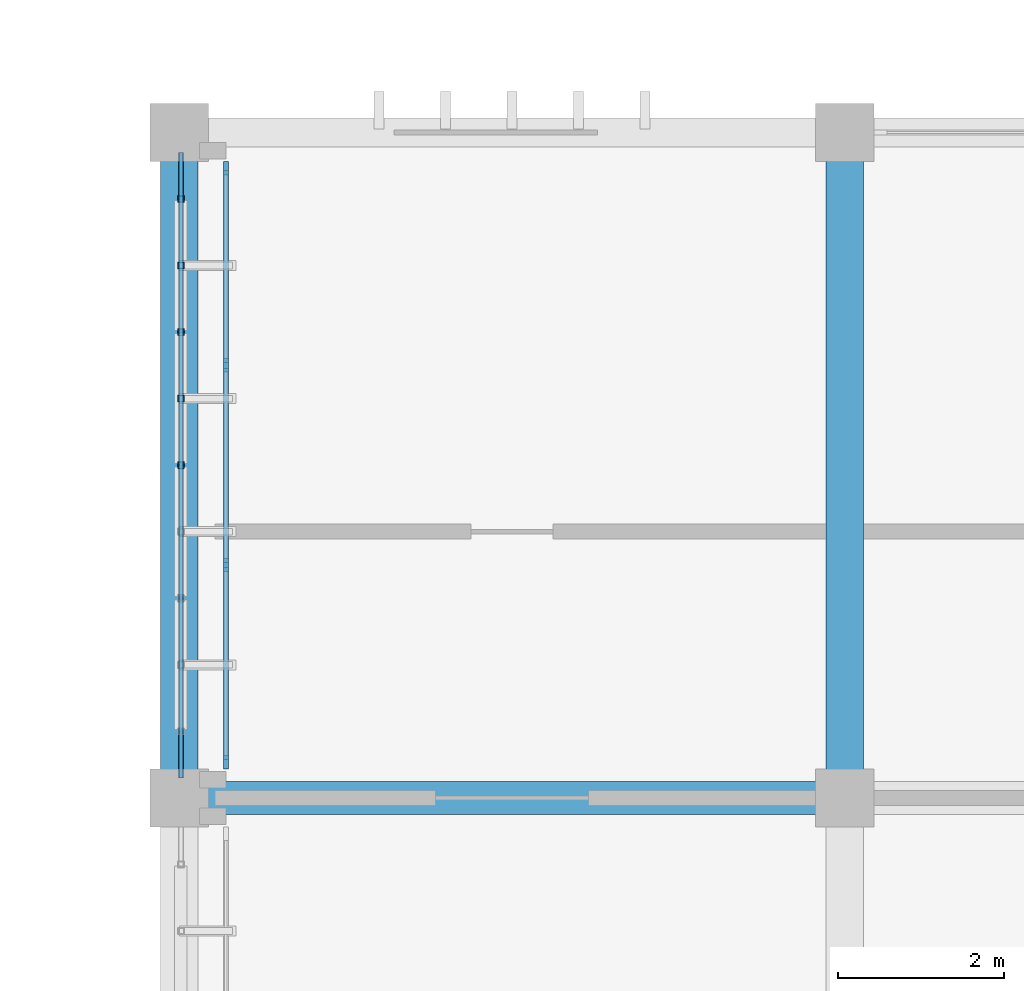
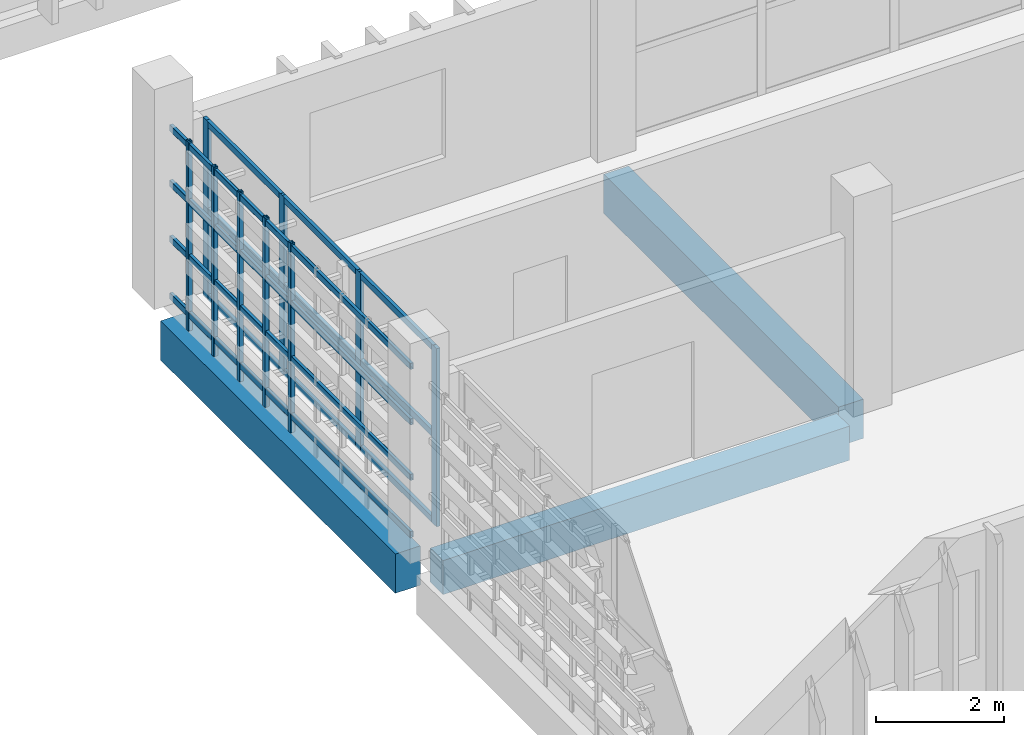
# One storey, part 32 of 137: 22 members, 3 beams, 1 element without a shape of its own.
"""IFC4 building model written with IfcOpenShell, lengths in metres."""

from ifc_helpers import new_model, si_unit, direction, frame, origin, origin_2d, place, context, subcontext, project, spatial, rectangle, hollow_rectangle, extrude, material, layer, layer_set, material_profile, profile_set, type_object, element, aggregate, save


model = new_model("IFC4")

# Units and contexts
model_context = context("Model", 3, precision=1e-05, world=origin(), true_north=direction((0.0, 1.0)))
body_context = subcontext(model_context, "Body", "Model", "MODEL_VIEW")
ifc_project = project(units=[si_unit("LENGTHUNIT", "METRE"), si_unit("AREAUNIT", "SQUARE_METRE"), si_unit("VOLUMEUNIT", "CUBIC_METRE"), si_unit("PLANEANGLEUNIT", "RADIAN"), si_unit("MASSUNIT", "GRAM", prefix="KILO")], contexts=[model_context])

# Site, building, storey
site_placement = place(None, origin())
site = spatial("IfcSite", under=ifc_project, at=site_placement, CompositionType="ELEMENT")
building_placement = place(site_placement, origin())
building = spatial("IfcBuilding", under=site, at=building_placement, Name="Jelvoka-Kovrelna Polytechnic", CompositionType="ELEMENT")
storey_placement = place(building_placement, frame((0.0, 0.0, 9.60009765625)))
storey = spatial("IfcBuildingStorey", under=building, at=storey_placement, Name="L03", CompositionType="ELEMENT", Elevation=9.60009765625)

# Beams
ifc_material_1 = material(Name="Concrete C40/50", Category="concrete")
ifc_material_profile_1 = material_profile(ifc_material_1, rectangle(XDim=0.39990234375, YDim=0.64990234375, at=origin_2d()), Name="RC 400x650")
ifc_profile_set_1 = profile_set([ifc_material_profile_1], Name="Concrete C40/50")
beam_type_1 = type_object("IfcBeamType", Name="Beam_RC_400x650", PredefinedType="BEAM", material=ifc_profile_set_1)
beam_placement = place(storey_placement, frame((128.330078125, 40.0, -0.590087890625), z_axis=(1.0, 0.0, 0.0), x_axis=(0.0, 1.0, 0.0)))
element("IfcBeam", 1, at=beam_placement, inside=storey, type_object=beam_type_1, Name="L03 beam 0967", PredefinedType="BEAM", context=body_context, shape_type="SweptSolid", body=[
    extrude(rectangle(XDim=0.39990234375, YDim=0.64990234375, at=origin_2d()), origin(), (0.0, 0.0, 1.0), 7.33984375),
])
ifc_material_2 = material(Name="Concrete C40/50", Category="concrete")
ifc_material_profile_2 = material_profile(ifc_material_2, rectangle(XDim=0.449951171875, YDim=0.75, at=origin_2d()), Name="RC 450x750")
ifc_profile_set_2 = profile_set([ifc_material_profile_2], Name="Concrete C40/50")
beam_type_2 = type_object("IfcBeamType", Name="Beam_RC_450x750", PredefinedType="BEAM", material=ifc_profile_set_2)
for number, where, z_axis, x_axis, name in (
    (2, (128.0, 40.330078125, -0.64013671875), (0.0, 1.0, 0.0), (-1.0, 0.0, 0.0), "L03 beam 0985"),
    (3, (136.0, 40.330078125, -0.64013671875), (0.0, 1.0, 0.0), (-1.0, 0.0, 0.0), "L03 beam 0987"),
):
    element("IfcBeam", number, at=place(storey_placement, frame(where, z_axis=z_axis, x_axis=x_axis)), inside=storey, type_object=beam_type_2, Name=name, PredefinedType="BEAM", context=body_context, shape_type="SweptSolid", body=[
        extrude(rectangle(XDim=0.449951171875, YDim=0.75, at=origin_2d()), origin(), (0.0, 0.0, 1.0), 7.33984375),
    ])

# Members
ifc_material_3 = material(Name="Structural steel S355J2H", Category="steel")
ifc_material_profile_3 = material_profile(ifc_material_3, hollow_rectangle(XDim=0.06005859375, YDim=0.1201171875, WallThickness=0.0048828125, InnerFilletRadius=0.0048828125, OuterFilletRadius=0.007568359375, at=origin_2d()), Name="120x60x5.0 RHS")
ifc_profile_set_3 = profile_set([ifc_material_profile_3], Name="Structural steel S355J2H")
member_type_1 = type_object("IfcMemberType", Name="Member_Strut_RHS120", PredefinedType="STRUT", material=ifc_profile_set_3)
for number, where, z_axis, x_axis, name in (
    (4, (128.02001953125, 40.239990234375, 0.079833984375), (0.0, 1.0, 0.0), (-1.0, 0.0, 0.0), "L03 terracotta screen horizontal strut 0391"),
    (5, (128.02001953125, 40.239990234375, 1.17138671875), (0.0, 1.0, 0.0), (-1.0, 0.0, 0.0), "L03 terracotta screen horizontal strut 0392"),
    (6, (128.02001953125, 40.239990234375, 2.230712890625), (0.0, 1.0, 0.0), (-1.0, 0.0, 0.0), "L03 terracotta screen horizontal strut 0393"),
    (7, (128.02001953125, 40.239990234375, 3.289794921875), (0.0, 1.0, 0.0), (-1.0, 0.0, 0.0), "L03 terracotta screen horizontal strut 0394"),
):
    element("IfcMember", number, at=place(storey_placement, frame(where, z_axis=z_axis, x_axis=x_axis)), inside=storey, type_object=member_type_1, Name=name, PredefinedType="STRUT", context=body_context, shape_type="SweptSolid", body=[
        extrude(hollow_rectangle(XDim=0.06005859375, YDim=0.1201171875, WallThickness=0.0048828125, InnerFilletRadius=0.0048828125, OuterFilletRadius=0.007568359375, at=origin_2d()), origin(), (0.0, 0.0, 1.0), 7.52001953125),
    ])
ifc_material_4 = material(Name="Structural steel S355J2H", Category="steel")
ifc_material_profile_4 = material_profile(ifc_material_4, hollow_rectangle(XDim=0.080078125, YDim=0.080078125, WallThickness=0.0048828125, InnerFilletRadius=0.0048828125, OuterFilletRadius=0.007568359375, at=origin_2d()), Name="80x80x5.0 SHS")
ifc_profile_set_4 = profile_set([ifc_material_profile_4], Name="Structural steel S355J2H")
member_type_2 = type_object("IfcMemberType", Name="Member_Strut_SHS80", PredefinedType="STRUT", material=ifc_profile_set_4)
for number, where, z_axis, x_axis, name in (
    (8, (128.02001953125, 44.0, -0.22998046875), (0.0, 0.0, 1.0), (1.0, 0.0, 0.0), "L03 terracotta lattice vertical rib 0399"),
    (9, (128.02001953125, 44.800048828125, -0.22998046875), (0.0, 0.0, 1.0), (1.0, 0.0, 0.0), "L03 terracotta lattice vertical rib 0400"),
    (10, (128.02001953125, 45.60009765625, -0.22998046875), (0.0, 0.0, 1.0), (1.0, 0.0, 0.0), "L03 terracotta lattice vertical rib 0401"),
    (11, (128.02001953125, 46.39990234375, -0.22998046875), (0.0, 0.0, 1.0), (1.0, 0.0, 0.0), "L03 terracotta lattice vertical rib 0402"),
    (12, (128.02001953125, 47.199951171875, -0.22998046875), (0.0, 0.0, 1.0), (1.0, 0.0, 0.0), "L03 terracotta lattice vertical rib 0403"),
):
    element("IfcMember", number, at=place(storey_placement, frame(where, z_axis=z_axis, x_axis=x_axis)), inside=storey, type_object=member_type_2, Name=name, PredefinedType="STRUT", context=body_context, shape_type="SweptSolid", body=[
        extrude(hollow_rectangle(XDim=0.080078125, YDim=0.080078125, WallThickness=0.0048828125, InnerFilletRadius=0.0048828125, OuterFilletRadius=0.007568359375, at=origin_2d()), origin(), (0.0, 0.0, 1.0), 3.60986328125),
    ])

# Curtain wall, members
ifc_material_5 = material(Name="Anodised aluminium 6063-T6", Category="aluminium")
ifc_layer = layer(ifc_material_5, 0.159912109375)
ifc_layer_set = layer_set([ifc_layer], Name="Anodised aluminium 6063-T6")
curtain_wall_type = type_object("IfcCurtainWallType", Name="CW_Recessed_A", PredefinedType="NOTDEFINED", material=ifc_layer_set)
curtain_wall_placement = place(storey_placement, origin())
curtain_wall = element("IfcCurtainWall", 13, at=curtain_wall_placement, inside=storey, type_object=curtain_wall_type, Name="L03 glazed curtain wall 059", PredefinedType="NOTDEFINED")
ifc_material_6 = material(Name="Anodised aluminium 6063-T6", Category="aluminium")
ifc_material_profile_5 = material_profile(ifc_material_6, rectangle(XDim=0.06005859375, YDim=0.159912109375, at=origin_2d()), Name="ALU 60x160")
ifc_profile_set_5 = profile_set([ifc_material_profile_5], Name="Anodised aluminium 6063-T6")
member_type_3 = type_object("IfcMemberType", Name="Mullion_M-01", PredefinedType="MULLION", material=ifc_profile_set_5)
member_1_placement = place(storey_placement, frame((128.56005859375, 40.429931640625, -0.02490234375), z_axis=(0.0, 0.0, 1.0), x_axis=(-1.0, 0.0, 0.0)))
member_1 = element("IfcMember", 14, at=member_1_placement, type_object=member_type_3, Name="CW-01 mullion 1", PredefinedType="MULLION", context=body_context, shape_type="SweptSolid", body=[
    extrude(rectangle(XDim=0.06005859375, YDim=0.159912109375, at=origin_2d()), origin(), (0.0, 0.0, 1.0), 3.39990234375),
])
member_2_placement = place(storey_placement, frame((128.56005859375, 42.800048828125, -0.02490234375), z_axis=(0.0, 0.0, 1.0), x_axis=(-1.0, 0.0, 0.0)))
member_2 = element("IfcMember", 15, at=member_2_placement, type_object=member_type_3, Name="CW-01 mullion 2", PredefinedType="MULLION", context=body_context, shape_type="SweptSolid", body=[
    extrude(rectangle(XDim=0.06005859375, YDim=0.159912109375, at=origin_2d()), origin(), (0.0, 0.0, 1.0), 3.39990234375),
])
member_3_placement = place(storey_placement, frame((128.56005859375, 45.199951171875, -0.02490234375), z_axis=(0.0, 0.0, 1.0), x_axis=(-1.0, 0.0, 0.0)))
member_3 = element("IfcMember", 16, at=member_3_placement, type_object=member_type_3, Name="CW-01 mullion 3", PredefinedType="MULLION", context=body_context, shape_type="SweptSolid", body=[
    extrude(rectangle(XDim=0.06005859375, YDim=0.159912109375, at=origin_2d()), origin(), (0.0, 0.0, 1.0), 3.39990234375),
])
member_4_placement = place(storey_placement, frame((128.56005859375, 47.570068359375, -0.02490234375), z_axis=(0.0, 0.0, 1.0), x_axis=(-1.0, 0.0, 0.0)))
member_4 = element("IfcMember", 17, at=member_4_placement, type_object=member_type_3, Name="CW-01 mullion 4", PredefinedType="MULLION", context=body_context, shape_type="SweptSolid", body=[
    extrude(rectangle(XDim=0.06005859375, YDim=0.159912109375, at=origin_2d()), origin(), (0.0, 0.0, 1.0), 3.39990234375),
])
ifc_material_7 = material(Name="Anodised aluminium 6063-T6", Category="aluminium")
ifc_material_profile_6 = material_profile(ifc_material_7, rectangle(XDim=0.06005859375, YDim=0.1201171875, at=origin_2d()), Name="ALU 60x120")
ifc_profile_set_6 = profile_set([ifc_material_profile_6], Name="Anodised aluminium 6063-T6")
member_type_4 = type_object("IfcMemberType", Name="Transom_T-01", PredefinedType="USERDEFINED", material=ifc_profile_set_6)
member_5_placement = place(storey_placement, frame((128.56005859375, 40.4599609375, 0.02978515625), z_axis=(0.0, 1.0, 0.0), x_axis=(-1.0, 0.0, 0.0)))
member_5 = element("IfcMember", 18, at=member_5_placement, type_object=member_type_4, Name="CW-01 transom 1.1", ObjectType="TRANSOM", PredefinedType="USERDEFINED", context=body_context, shape_type="SweptSolid", body=[
    extrude(rectangle(XDim=0.06005859375, YDim=0.1201171875, at=origin_2d()), origin(), (0.0, 0.0, 1.0), 2.31005859375),
])
member_6_placement = place(storey_placement, frame((128.56005859375, 40.4599609375, 1.6748046875), z_axis=(0.0, 1.0, 0.0), x_axis=(-1.0, 0.0, 0.0)))
member_6 = element("IfcMember", 19, at=member_6_placement, type_object=member_type_4, Name="CW-01 transom 1.2", ObjectType="TRANSOM", PredefinedType="USERDEFINED", context=body_context, shape_type="SweptSolid", body=[
    extrude(rectangle(XDim=0.06005859375, YDim=0.1201171875, at=origin_2d()), origin(), (0.0, 0.0, 1.0), 2.31005859375),
])
member_7_placement = place(storey_placement, frame((128.56005859375, 40.4599609375, 3.31982421875), z_axis=(0.0, 1.0, 0.0), x_axis=(-1.0, 0.0, 0.0)))
member_7 = element("IfcMember", 20, at=member_7_placement, type_object=member_type_4, Name="CW-01 transom 1.3", ObjectType="TRANSOM", PredefinedType="USERDEFINED", context=body_context, shape_type="SweptSolid", body=[
    extrude(rectangle(XDim=0.06005859375, YDim=0.1201171875, at=origin_2d()), origin(), (0.0, 0.0, 1.0), 2.31005859375),
])
member_8_placement = place(storey_placement, frame((128.56005859375, 42.830078125, 0.02978515625), z_axis=(0.0, 1.0, 0.0), x_axis=(-1.0, 0.0, 0.0)))
member_8 = element("IfcMember", 21, at=member_8_placement, type_object=member_type_4, Name="CW-01 transom 2.1", ObjectType="TRANSOM", PredefinedType="USERDEFINED", context=body_context, shape_type="SweptSolid", body=[
    extrude(rectangle(XDim=0.06005859375, YDim=0.1201171875, at=origin_2d()), origin(), (0.0, 0.0, 1.0), 2.33984375),
])
member_9_placement = place(storey_placement, frame((128.56005859375, 42.830078125, 1.6748046875), z_axis=(0.0, 1.0, 0.0), x_axis=(-1.0, 0.0, 0.0)))
member_9 = element("IfcMember", 22, at=member_9_placement, type_object=member_type_4, Name="CW-01 transom 2.2", ObjectType="TRANSOM", PredefinedType="USERDEFINED", context=body_context, shape_type="SweptSolid", body=[
    extrude(rectangle(XDim=0.06005859375, YDim=0.1201171875, at=origin_2d()), origin(), (0.0, 0.0, 1.0), 2.33984375),
])
member_10_placement = place(storey_placement, frame((128.56005859375, 42.830078125, 3.31982421875), z_axis=(0.0, 1.0, 0.0), x_axis=(-1.0, 0.0, 0.0)))
member_10 = element("IfcMember", 23, at=member_10_placement, type_object=member_type_4, Name="CW-01 transom 2.3", ObjectType="TRANSOM", PredefinedType="USERDEFINED", context=body_context, shape_type="SweptSolid", body=[
    extrude(rectangle(XDim=0.06005859375, YDim=0.1201171875, at=origin_2d()), origin(), (0.0, 0.0, 1.0), 2.33984375),
])
member_11_placement = place(storey_placement, frame((128.56005859375, 45.22998046875, 0.02978515625), z_axis=(0.0, 1.0, 0.0), x_axis=(-1.0, 0.0, 0.0)))
member_11 = element("IfcMember", 24, at=member_11_placement, type_object=member_type_4, Name="CW-01 transom 3.1", ObjectType="TRANSOM", PredefinedType="USERDEFINED", context=body_context, shape_type="SweptSolid", body=[
    extrude(rectangle(XDim=0.06005859375, YDim=0.1201171875, at=origin_2d()), origin(), (0.0, 0.0, 1.0), 2.31005859375),
])
member_12_placement = place(storey_placement, frame((128.56005859375, 45.22998046875, 1.6748046875), z_axis=(0.0, 1.0, 0.0), x_axis=(-1.0, 0.0, 0.0)))
member_12 = element("IfcMember", 25, at=member_12_placement, type_object=member_type_4, Name="CW-01 transom 3.2", ObjectType="TRANSOM", PredefinedType="USERDEFINED", context=body_context, shape_type="SweptSolid", body=[
    extrude(rectangle(XDim=0.06005859375, YDim=0.1201171875, at=origin_2d()), origin(), (0.0, 0.0, 1.0), 2.31005859375),
])
member_13_placement = place(storey_placement, frame((128.56005859375, 45.22998046875, 3.31982421875), z_axis=(0.0, 1.0, 0.0), x_axis=(-1.0, 0.0, 0.0)))
member_13 = element("IfcMember", 26, at=member_13_placement, type_object=member_type_4, Name="CW-01 transom 3.3", ObjectType="TRANSOM", PredefinedType="USERDEFINED", context=body_context, shape_type="SweptSolid", body=[
    extrude(rectangle(XDim=0.06005859375, YDim=0.1201171875, at=origin_2d()), origin(), (0.0, 0.0, 1.0), 2.31005859375),
])
aggregate(curtain_wall, [member_1, member_2, member_3, member_4, member_5, member_6, member_7, member_8, member_9, member_10, member_11, member_12, member_13])

save(model, "model.ifc")
